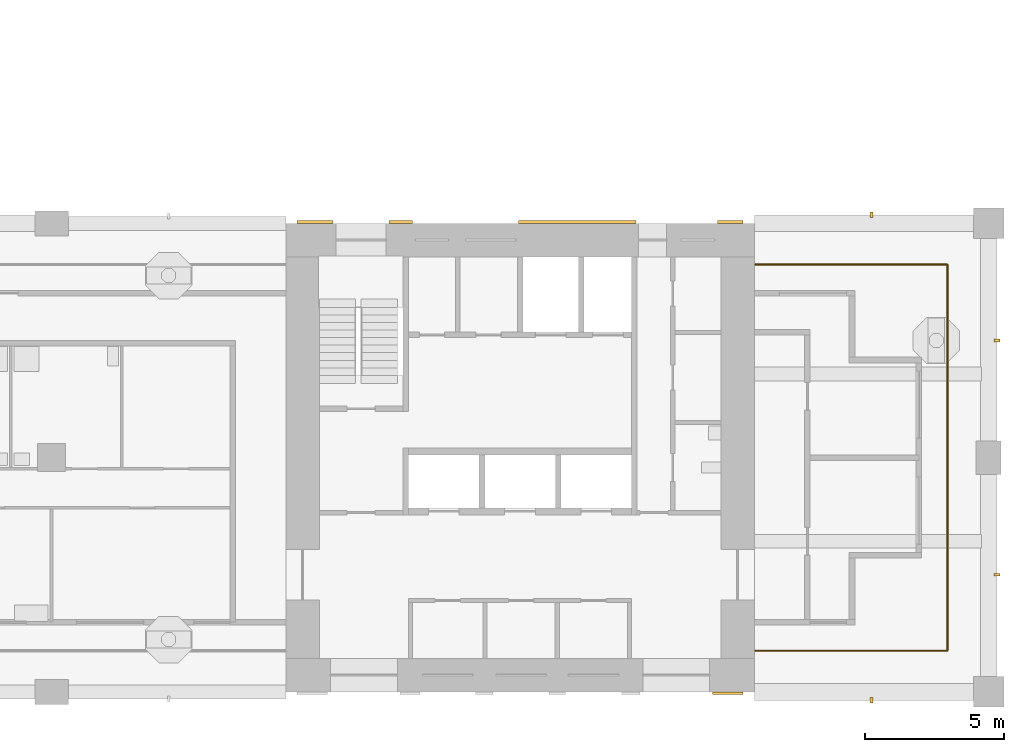
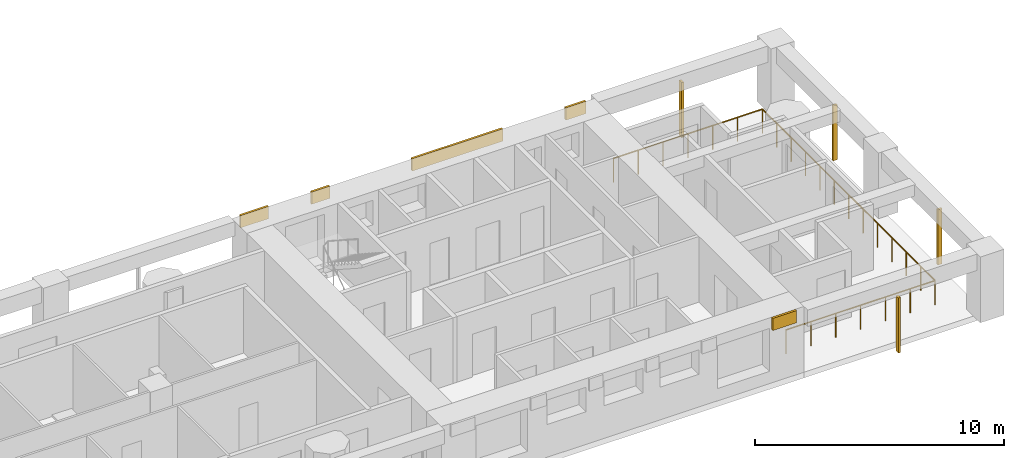
# One storey, part 9 of 13: 9 shading devices, 1 railing.
"""IFC4 building model written with IfcOpenShell, lengths in metres."""

from ifc_helpers import new_model, si_unit, direction, frame, origin, origin_2d, place, context, subcontext, project, spatial, rectangle, circle, extrude, material, layer, layer_set, material_profile, profile_set, type_object, element, save


model = new_model("IFC4")

# Units and contexts
model_context = context("Model", 3, precision=1e-05, world=origin(), true_north=direction((0.0, 1.0)))
body_context = subcontext(model_context, "Body", "Model", "MODEL_VIEW")
ifc_project = project(units=[si_unit("LENGTHUNIT", "METRE"), si_unit("AREAUNIT", "SQUARE_METRE"), si_unit("VOLUMEUNIT", "CUBIC_METRE"), si_unit("PLANEANGLEUNIT", "RADIAN"), si_unit("MASSUNIT", "GRAM", prefix="KILO")], contexts=[model_context])

# Site, building, storey
site_placement = place(None, origin())
site = spatial("IfcSite", under=ifc_project, at=site_placement, CompositionType="ELEMENT")
building_placement = place(site_placement, origin())
building = spatial("IfcBuilding", under=site, at=building_placement, Name="Vermilion Gate Residences", CompositionType="ELEMENT")
storey_placement = place(building_placement, frame((0.0, 0.0, 193.199951171875)))
storey = spatial("IfcBuildingStorey", under=building, at=storey_placement, Name="L50", CompositionType="ELEMENT", Elevation=193.199951171875)

# Railing
ifc_material_1 = material(Name="Stainless steel and toughened glass", Category="steel")
railing_type = type_object("IfcRailingType", Name="LOGGIA GUARD STEEL AND GLASS 1200", PredefinedType="GUARDRAIL", material=ifc_material_1)
railing_placement = place(storey_placement, frame((58.822021484375, 9.875, 0.0)))
element("IfcRailing", 1, at=railing_placement, inside=storey, type_object=railing_type, Name="Loggia guard", PredefinedType="GUARDRAIL", context=body_context, shape_type="SweptSolid", body=[
    extrude(circle(Radius=0.030029296875, at=origin_2d()), frame((0.0, 0.0, 1.169921875), z_axis=(1.0, 0.0, 0.0), x_axis=(0.0, 1.0, 0.0)), (0.0, 0.0, 1.0), 6.903076171875),
    extrude(circle(Radius=0.030029296875, at=origin_2d()), frame((6.903076171875, 0.0, 1.169921875), z_axis=(0.0, 1.0, 0.0), x_axis=(-1.0, 0.0, 0.0)), (0.0, 0.0, 1.0), 13.85009765625),
    extrude(circle(Radius=0.030029296875, at=origin_2d()), frame((6.903076171875, 13.85009765625, 1.169921875), z_axis=(-1.0, 0.0, 0.0), x_axis=(0.0, -1.0, 0.0)), (0.0, 0.0, 1.0), 6.903076171875),
    extrude(circle(Radius=0.02490234375, at=origin_2d()), origin(), (0.0, 0.0, 1.0), 1.139892578125),
    extrude(circle(Radius=0.02490234375, at=origin_2d()), frame((1.150390625, 0.0, 0.0)), (0.0, 0.0, 1.0), 1.139892578125),
    extrude(circle(Radius=0.02490234375, at=origin_2d()), frame((2.301025390625, 0.0, 0.0)), (0.0, 0.0, 1.0), 1.139892578125),
    extrude(circle(Radius=0.02490234375, at=origin_2d()), frame((3.45166015625, 0.0, 0.0)), (0.0, 0.0, 1.0), 1.139892578125),
    extrude(circle(Radius=0.02490234375, at=origin_2d()), frame((4.60205078125, 0.0, 0.0)), (0.0, 0.0, 1.0), 1.139892578125),
    extrude(circle(Radius=0.02490234375, at=origin_2d()), frame((5.75244140625, 0.0, 0.0)), (0.0, 0.0, 1.0), 1.139892578125),
    extrude(circle(Radius=0.02490234375, at=origin_2d()), frame((6.903076171875, 0.0, 0.0)), (0.0, 0.0, 1.0), 1.139892578125),
    extrude(circle(Radius=0.02490234375, at=origin_2d()), frame((6.903076171875, 1.154296875, 0.0)), (0.0, 0.0, 1.0), 1.139892578125),
    extrude(circle(Radius=0.02490234375, at=origin_2d()), frame((6.903076171875, 2.308349609375, 0.0)), (0.0, 0.0, 1.0), 1.139892578125),
    extrude(circle(Radius=0.02490234375, at=origin_2d()), frame((6.903076171875, 3.46240234375, 0.0)), (0.0, 0.0, 1.0), 1.139892578125),
    extrude(circle(Radius=0.02490234375, at=origin_2d()), frame((6.903076171875, 4.61669921875, 0.0)), (0.0, 0.0, 1.0), 1.139892578125),
    extrude(circle(Radius=0.02490234375, at=origin_2d()), frame((6.903076171875, 5.77099609375, 0.0)), (0.0, 0.0, 1.0), 1.139892578125),
    extrude(circle(Radius=0.02490234375, at=origin_2d()), frame((6.903076171875, 6.925048828125, 0.0)), (0.0, 0.0, 1.0), 1.139892578125),
    extrude(circle(Radius=0.02490234375, at=origin_2d()), frame((6.903076171875, 8.0791015625, 0.0)), (0.0, 0.0, 1.0), 1.139892578125),
    extrude(circle(Radius=0.02490234375, at=origin_2d()), frame((6.903076171875, 9.2333984375, 0.0)), (0.0, 0.0, 1.0), 1.139892578125),
    extrude(circle(Radius=0.02490234375, at=origin_2d()), frame((6.903076171875, 10.3876953125, 0.0)), (0.0, 0.0, 1.0), 1.139892578125),
    extrude(circle(Radius=0.02490234375, at=origin_2d()), frame((6.903076171875, 11.541748046875, 0.0)), (0.0, 0.0, 1.0), 1.139892578125),
    extrude(circle(Radius=0.02490234375, at=origin_2d()), frame((6.903076171875, 12.69580078125, 0.0)), (0.0, 0.0, 1.0), 1.139892578125),
    extrude(circle(Radius=0.02490234375, at=origin_2d()), frame((6.903076171875, 13.85009765625, 0.0)), (0.0, 0.0, 1.0), 1.139892578125),
    extrude(circle(Radius=0.02490234375, at=origin_2d()), frame((5.75244140625, 13.85009765625, 0.0)), (0.0, 0.0, 1.0), 1.139892578125),
    extrude(circle(Radius=0.02490234375, at=origin_2d()), frame((4.60205078125, 13.85009765625, 0.0)), (0.0, 0.0, 1.0), 1.139892578125),
    extrude(circle(Radius=0.02490234375, at=origin_2d()), frame((3.45166015625, 13.85009765625, 0.0)), (0.0, 0.0, 1.0), 1.139892578125),
    extrude(circle(Radius=0.02490234375, at=origin_2d()), frame((2.301025390625, 13.85009765625, 0.0)), (0.0, 0.0, 1.0), 1.139892578125),
    extrude(circle(Radius=0.02490234375, at=origin_2d()), frame((1.150390625, 13.85009765625, 0.0)), (0.0, 0.0, 1.0), 1.139892578125),
    extrude(circle(Radius=0.02490234375, at=origin_2d()), frame((0.0, 13.85009765625, 0.0)), (0.0, 0.0, 1.0), 1.139892578125),
])

# Shading devices
ifc_material_2 = material(Name="Extruded terracotta", Category="masonry")
ifc_material_profile = material_profile(ifc_material_2, rectangle(XDim=0.199951171875, YDim=0.10009765625, at=origin_2d()), Name="BAGUETTE 100 X 200")
ifc_profile_set = profile_set([ifc_material_profile], Name="Extruded terracotta")
shading_device_type_1 = type_object("IfcShadingDeviceType", Name="TERRACOTTA BAGUETTE 100 X 200", PredefinedType="JALOUSIE", material=ifc_profile_set)
for number, where, z_axis, x_axis, name in (
    (2, (63.0, 8.10009765625, -0.280029296875), (0.0, 0.0, 1.0), (0.0, 1.0, 0.0), "BAGUETTE"),
    (3, (67.5, 12.60009765625, -0.280029296875), (0.0, 0.0, 1.0), (-1.0, 0.0, 0.0), "BAGUETTE"),
    (4, (67.5, 21.0, -0.280029296875), (0.0, 0.0, 1.0), (-1.0, 0.0, 0.0), "BAGUETTE"),
    (5, (63.0, 25.5, -0.280029296875), (0.0, 0.0, 1.0), (0.0, -1.0, 0.0), "BAGUETTE"),
):
    element("IfcShadingDevice", number, at=place(storey_placement, frame(where, z_axis=z_axis, x_axis=x_axis)), inside=storey, type_object=shading_device_type_1, Name=name, PredefinedType="JALOUSIE", context=body_context, shape_type="SweptSolid", body=[
        extrude(rectangle(XDim=0.199951171875, YDim=0.10009765625, at=origin_2d()), origin(), (0.0, 0.0, 1.0), 2.7001953125),
    ])
ifc_material_3 = material(Name="Extruded terracotta", Category="masonry")
ifc_layer = layer(ifc_material_3, 0.10009765625)
ifc_layer_set = layer_set([ifc_layer], Name="TERRACOTTA SPANDREL BAND 600 X 100")
shading_device_type_2 = type_object("IfcShadingDeviceType", Name="TERRACOTTA SPANDREL BAND 600 X 100", PredefinedType="USERDEFINED", material=ifc_layer_set)
shading_device_1_placement = place(storey_placement, frame((57.85009765625, 8.35009765625, 2.6201171875), z_axis=(0.0, 0.0, 1.0), x_axis=(1.0, 0.0, 0.0)))
element("IfcShadingDevice", 6, at=shading_device_1_placement, inside=storey, type_object=shading_device_type_2, Name="SPANDREL BAND", ObjectType="BAND", PredefinedType="USERDEFINED", context=body_context, shape_type="SweptSolid", body=[
    extrude(rectangle(XDim=1.10009765625, YDim=0.10009765625, at=origin_2d()), origin(), (0.0, 0.0, 1.0), 0.60009765625),
])
shading_device_2_placement = place(storey_placement, frame((43.050048828125, 25.25, 2.6201171875), z_axis=(0.0, 0.0, 1.0), x_axis=(1.0, 0.0, 0.0)))
element("IfcShadingDevice", 7, at=shading_device_2_placement, inside=storey, type_object=shading_device_type_2, Name="SPANDREL BAND", ObjectType="BAND", PredefinedType="USERDEFINED", context=body_context, shape_type="SweptSolid", body=[
    extrude(rectangle(XDim=1.300048828125, YDim=0.10009765625, at=origin_2d()), origin(), (0.0, 0.0, 1.0), 0.60009765625),
])
shading_device_3_placement = place(storey_placement, frame((46.121826171875, 25.25, 2.6201171875), z_axis=(0.0, 0.0, 1.0), x_axis=(1.0, 0.0, 0.0)))
element("IfcShadingDevice", 8, at=shading_device_3_placement, inside=storey, type_object=shading_device_type_2, Name="SPANDREL BAND", ObjectType="BAND", PredefinedType="USERDEFINED", context=body_context, shape_type="SweptSolid", body=[
    extrude(rectangle(XDim=0.84375, YDim=0.10009765625, at=origin_2d()), origin(), (0.0, 0.0, 1.0), 0.60009765625),
])
shading_device_4_placement = place(storey_placement, frame((52.449951171875, 25.25, 2.6201171875), z_axis=(0.0, 0.0, 1.0), x_axis=(1.0, 0.0, 0.0)))
element("IfcShadingDevice", 9, at=shading_device_4_placement, inside=storey, type_object=shading_device_type_2, Name="SPANDREL BAND", ObjectType="BAND", PredefinedType="USERDEFINED", context=body_context, shape_type="SweptSolid", body=[
    extrude(rectangle(XDim=4.199951171875, YDim=0.10009765625, at=origin_2d()), origin(), (0.0, 0.0, 1.0), 0.60009765625),
])
shading_device_5_placement = place(storey_placement, frame((57.9375, 25.25, 2.6201171875), z_axis=(0.0, 0.0, 1.0), x_axis=(1.0, 0.0, 0.0)))
element("IfcShadingDevice", 10, at=shading_device_5_placement, inside=storey, type_object=shading_device_type_2, Name="SPANDREL BAND", ObjectType="BAND", PredefinedType="USERDEFINED", context=body_context, shape_type="SweptSolid", body=[
    extrude(rectangle(XDim=0.925048828125, YDim=0.10009765625, at=origin_2d()), origin(), (0.0, 0.0, 1.0), 0.60009765625),
])

save(model, "model.ifc")
